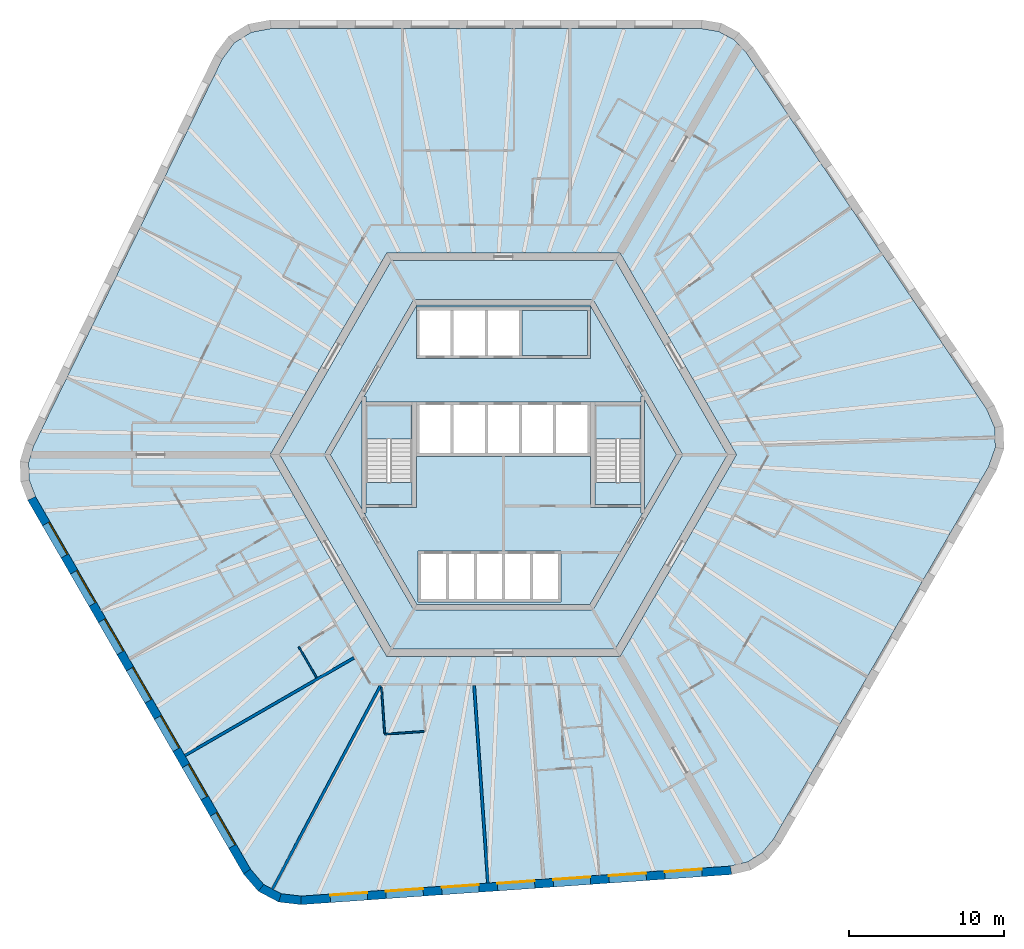
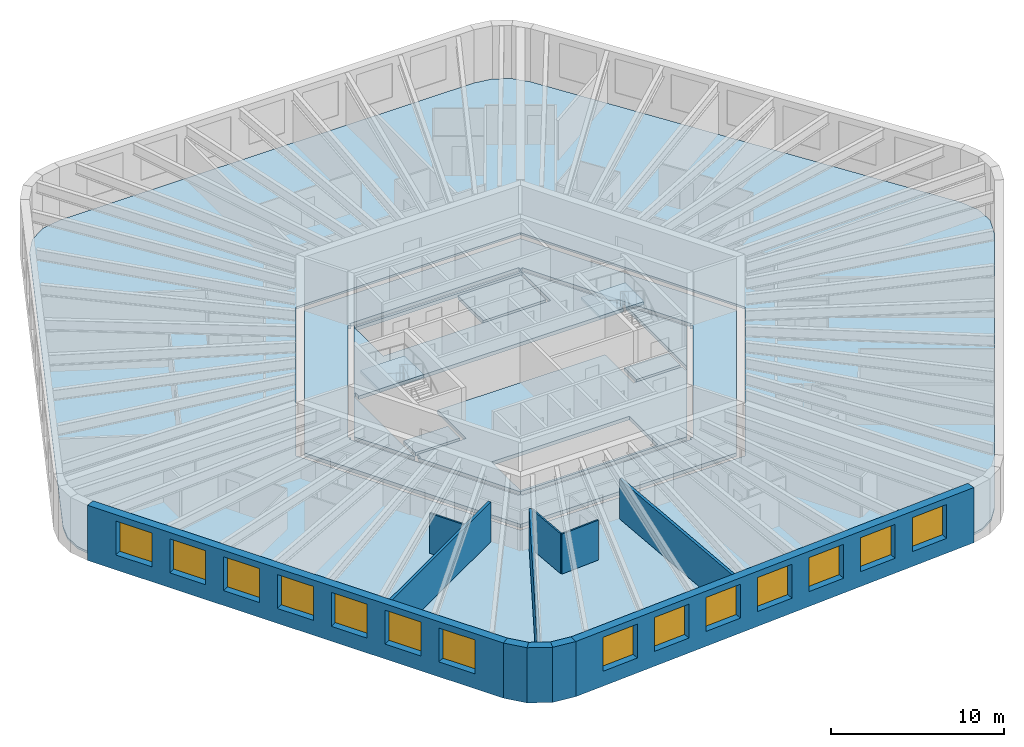
# One storey, part 2 of 10: 14 windows, 11 slabs, 11 walls, 14 openings, 2 elements without a shape of their own.
"""IFC4 building model written with IfcOpenShell, lengths in metres."""

from ifc_helpers import new_model, si_unit, direction, frame, frame_2d, origin, place, context, subcontext, project, spatial, polyline, rectangle, outline, extrude, material, layer, layer_set, type_object, element, fill, aggregate, save


model = new_model("IFC4")

# Units and contexts
model_context = context("Model", 3, precision=1e-05, world=origin(), true_north=direction((0.0, 1.0)))
body_context = subcontext(model_context, "Body", "Model", "MODEL_VIEW")
ifc_project = project(units=[si_unit("LENGTHUNIT", "METRE"), si_unit("AREAUNIT", "SQUARE_METRE"), si_unit("VOLUMEUNIT", "CUBIC_METRE"), si_unit("PLANEANGLEUNIT", "RADIAN"), si_unit("MASSUNIT", "GRAM", prefix="KILO")], contexts=[model_context])

# Site, building, storey
site_placement = place(None, origin())
site = spatial("IfcSite", under=ifc_project, at=site_placement, CompositionType="ELEMENT")
building_placement = place(site_placement, origin())
building = spatial("IfcBuilding", under=site, at=building_placement, Name="Tarnside Tower", CompositionType="ELEMENT")
storey_placement = place(building_placement, frame((0.0, 0.0, 160.5)))
storey = spatial("IfcBuildingStorey", under=building, at=storey_placement, Name="L37", CompositionType="ELEMENT", Elevation=160.5)

# Slabs
ifc_material_1 = material(Name="Concrete C35/45", Category="concrete")
ifc_layer_1 = layer(ifc_material_1, 0.14990234375)
ifc_layer_set_1 = layer_set([ifc_layer_1], Name="Composite floor slab 150")
slab_type_1 = type_object("IfcSlabType", Name="Composite floor slab 150", PredefinedType="FLOOR", material=ifc_layer_set_1)
slab_1_placement = place(storey_placement, frame((0.0, 0.0, -0.14990234375)))
element("IfcSlab", 1, at=slab_1_placement, inside=storey, type_object=slab_type_1, Name="Floor slab L37", PredefinedType="FLOOR", context=body_context, shape_type="SweptSolid", body=[
    extrude(outline(polyline([(13.864013671875, 27.264892578125), (14.85107421875, 26.740234375), (15.6337890625, 25.91064453125), (31.12890625, 2.938232421875), (31.644287109375, 1.7431640625), (31.68896484375, 0.468505859375), (31.258056640625, -0.759521484375), (17.403076171875, -24.7568359375), (16.68017578125, -25.63916015625), (15.732177734375, -26.2314453125), (14.622314453125, -26.494384765625), (-13.02001953125, -28.427490234375), (-14.3125, -28.2763671875), (-15.438720703125, -27.677490234375), (-16.286865234375, -26.6904296875), (-30.1416015625, -2.693115234375), (-30.544189453125, -1.6259765625), (-30.583251953125, -0.5087890625), (-30.256103515625, 0.583984375), (-18.10888671875, 25.4892578125), (-17.331787109375, 26.533203125), (-16.250244140625, 27.208984375), (-14.97119140625, 27.449951171875), (12.738525390625, 27.449951171875), (13.864013671875, 27.264892578125)]), holes=[polyline([(-15.010986328125, 0.0), (-7.505615234375, -13.0), (7.505615234375, -13.0), (15.010986328125, 0.0), (7.505615234375, 13.0), (-7.505615234375, 13.0), (-15.010986328125, 0.0)])]), origin(), (0.0, 0.0, 1.0), 0.14990234375),
])
ifc_material_2 = material(Name="Concrete C40/50", Category="concrete")
ifc_layer_2 = layer(ifc_material_2, 0.25)
ifc_layer_set_2 = layer_set([ifc_layer_2], Name="Core slab C40/50")
slab_type_2 = type_object("IfcSlabType", Name="Core slab C40/50", PredefinedType="FLOOR", material=ifc_layer_set_2)
slab_2_placement = place(storey_placement, frame((0.0, 0.0, -0.25)))
element("IfcSlab", 2, at=slab_2_placement, inside=storey, type_object=slab_type_2, Name="L37 core floor slab 1", PredefinedType="FLOOR", context=body_context, shape_type="SweptSolid", body=[
    extrude(outline(polyline([(-7.216796875, 12.5), (7.216796875, 12.5), (14.433837890625, 0.0), (7.216796875, -12.5), (-7.216796875, -12.5), (-14.433837890625, 0.0), (-7.216796875, 12.5)]), holes=[polyline([(5.823974609375, -9.91259765625), (11.49658203125, -0.08740234375), (11.344970703125, 0.0), (11.49658203125, 0.08740234375), (5.823974609375, 9.91259765625), (5.672607421875, 9.824951171875), (5.672607421875, 10.0), (-5.672607421875, 10.0), (-5.672607421875, 9.824951171875), (-5.823974609375, 9.91259765625), (-11.49658203125, 0.08740234375), (-11.344970703125, 0.0), (-11.49658203125, -0.08740234375), (-5.823974609375, -9.91259765625), (-5.672607421875, -9.824951171875), (-5.672607421875, -10.0), (5.672607421875, -10.0), (5.672607421875, -9.824951171875), (5.823974609375, -9.91259765625)])]), origin(), (0.0, 0.0, 1.0), 0.25),
])
slab_3_placement = place(storey_placement, frame((0.0, 0.0, -0.25)))
element("IfcSlab", 3, at=slab_3_placement, inside=storey, type_object=slab_type_2, Name="L37 core floor slab 2", PredefinedType="FLOOR", context=body_context, shape_type="SweptSolid", body=[
    extrude(outline(polyline([(-8.97509765625, 3.7548828125), (-5.5712890625, 9.64990234375), (5.5712890625, 9.64990234375), (8.97509765625, 3.7548828125), (8.85009765625, 3.7548828125), (8.85009765625, 3.39990234375), (5.89990234375, 3.39990234375), (5.60009765625, 3.39990234375), (5.60009765625, 3.39990234375), (-5.60009765625, 3.39990234375), (-5.89990234375, 3.39990234375), (-8.85009765625, 3.39990234375), (-8.85009765625, 3.7548828125), (-8.97509765625, 3.7548828125)]), holes=[polyline([(-5.60009765625, 6.199951171875), (5.60009765625, 6.199951171875), (5.60009765625, 6.39990234375), (5.60009765625, 9.300048828125), (5.60009765625, 9.5), (-5.60009765625, 9.5), (-5.60009765625, 9.300048828125), (-5.60009765625, 6.39990234375), (-5.60009765625, 6.199951171875)])]), origin(), (0.0, 0.0, 1.0), 0.25),
])
slab_4_placement = place(storey_placement, frame((0.0, 0.0, -0.25)))
element("IfcSlab", 4, at=slab_4_placement, inside=storey, type_object=slab_type_2, Name="L37 core floor slab 3", PredefinedType="FLOOR", context=body_context, shape_type="SweptSolid", body=[
    extrude(outline(polyline([(5.60009765625, -3.39990234375), (5.89990234375, -3.39990234375), (8.85009765625, -3.39990234375), (8.85009765625, -3.7548828125), (8.97509765625, -3.7548828125), (5.5712890625, -9.64990234375), (-5.5712890625, -9.64990234375), (-8.97509765625, -3.7548828125), (-8.85009765625, -3.7548828125), (-8.85009765625, -3.39990234375), (-5.89990234375, -3.39990234375), (-5.60009765625, -3.39990234375), (-5.60009765625, -0.10009765625), (5.60009765625, -0.10009765625), (5.60009765625, -3.39990234375)]), holes=[polyline([(-5.5, -9.300048828125), (-5.5, -9.5), (3.699951171875, -9.5), (3.699951171875, -9.300048828125), (3.699951171875, -6.39990234375), (3.699951171875, -6.199951171875), (-5.5, -6.199951171875), (-5.5, -6.39990234375), (-5.5, -9.300048828125)])]), origin(), (0.0, 0.0, 1.0), 0.25),
])
slab_5_placement = place(storey_placement, frame((0.0, 0.0, -0.25)))
element("IfcSlab", 5, at=slab_5_placement, inside=storey, type_object=slab_type_2, Name="L37 core floor slab 4", PredefinedType="FLOOR", context=body_context, shape_type="SweptSolid", body=[
    extrude(outline(polyline([(-11.142822265625, 0.0), (-9.10009765625, 3.538330078125), (-9.10009765625, -3.538330078125), (-11.142822265625, 0.0)])), origin(), (0.0, 0.0, 1.0), 0.25),
])
slab_6_placement = place(storey_placement, frame((0.0, 0.0, -0.25)))
element("IfcSlab", 6, at=slab_6_placement, inside=storey, type_object=slab_type_2, Name="L37 core floor slab 5", PredefinedType="FLOOR", context=body_context, shape_type="SweptSolid", body=[
    extrude(outline(polyline([(-8.85009765625, -1.800048828125), (-5.89990234375, -1.800048828125), (-5.89990234375, -3.199951171875), (-8.85009765625, -3.199951171875), (-8.85009765625, -1.800048828125)])), origin(), (0.0, 0.0, 1.0), 0.25),
])
slab_7_placement = place(storey_placement, frame((0.0, 0.0, -0.25)))
element("IfcSlab", 7, at=slab_7_placement, inside=storey, type_object=slab_type_2, Name="L37 core floor slab 6", PredefinedType="FLOOR", context=body_context, shape_type="SweptSolid", body=[
    extrude(outline(polyline([(5.89990234375, -3.199951171875), (5.89990234375, -1.800048828125), (8.85009765625, -1.800048828125), (8.85009765625, -3.199951171875), (5.89990234375, -3.199951171875)])), origin(), (0.0, 0.0, 1.0), 0.25),
])
slab_8_placement = place(storey_placement, frame((0.0, 0.0, -0.25)))
element("IfcSlab", 8, at=slab_8_placement, inside=storey, type_object=slab_type_2, Name="L37 core floor slab 7", PredefinedType="FLOOR", context=body_context, shape_type="SweptSolid", body=[
    extrude(outline(polyline([(9.10009765625, -3.538330078125), (9.10009765625, 3.538330078125), (11.142822265625, 0.0), (9.10009765625, -3.538330078125)])), origin(), (0.0, 0.0, 1.0), 0.25),
])
slab_9_placement = place(storey_placement, frame((0.0, 0.0, -0.25)))
element("IfcSlab", 9, at=slab_9_placement, inside=storey, type_object=slab_type_2, Name="L37 core floor slab 8", PredefinedType="FLOOR", context=body_context, shape_type="SweptSolid", body=[
    extrude(outline(polyline([(5.39990234375, 9.300048828125), (5.39990234375, 6.39990234375), (1.199951171875, 6.39990234375), (1.199951171875, 9.300048828125), (5.39990234375, 9.300048828125)])), origin(), (0.0, 0.0, 1.0), 0.25),
])

# Stair, slab
stair_type = type_object("IfcStairType", Name="Exit stair 1400 clear", PredefinedType="HALF_TURN_STAIR", material=ifc_material_2)
stair_1_placement = place(storey_placement, origin())
stair_1 = element("IfcStair", 10, at=stair_1_placement, inside=storey, type_object=stair_type, Name="L37 Exit stair 1", PredefinedType="HALF_TURN_STAIR")
ifc_layer_3 = layer(ifc_material_2, 0.199951171875)
ifc_layer_set_3 = layer_set([ifc_layer_3], Name="Stair landing 200 C40/50")
slab_type_3 = type_object("IfcSlabType", Name="Stair landing 200 C40/50", PredefinedType="LANDING", material=ifc_layer_set_3)
slab_10_placement = place(storey_placement, frame((0.0, 0.0, 1.75)))
slab_10 = element("IfcSlab", 11, at=slab_10_placement, type_object=slab_type_3, Name="ST1 landing 1", PredefinedType="LANDING", context=body_context, shape_type="SweptSolid", body=[
    extrude(outline(polyline([(8.85009765625, 1.0), (8.85009765625, 3.199951171875), (5.89990234375, 3.199951171875), (5.89990234375, 1.0), (8.85009765625, 1.0)])), origin(), (0.0, 0.0, 1.0), 0.199951171875),
])
aggregate(stair_1, [slab_10])

stair_2_placement = place(storey_placement, origin())
stair_2 = element("IfcStair", 12, at=stair_2_placement, inside=storey, type_object=stair_type, Name="L37 Exit stair 2", PredefinedType="HALF_TURN_STAIR")
slab_11_placement = place(storey_placement, frame((0.0, 0.0, 1.75)))
slab_11 = element("IfcSlab", 13, at=slab_11_placement, type_object=slab_type_3, Name="ST2 landing 1", PredefinedType="LANDING", context=body_context, shape_type="SweptSolid", body=[
    extrude(outline(polyline([(-5.89990234375, 1.0), (-5.89990234375, 3.199951171875), (-8.85009765625, 3.199951171875), (-8.85009765625, 1.0), (-5.89990234375, 1.0)])), origin(), (0.0, 0.0, 1.0), 0.199951171875),
])
aggregate(stair_2, [slab_11])

# Walls
ifc_material_3 = material(Name="Gypsum board partition on steel studs", Category="steel")
ifc_layer_4 = layer(ifc_material_3, 0.10009765625)
ifc_layer_set_4 = layer_set([ifc_layer_4], Name="Bathroom wall 100")
wall_type_1 = type_object("IfcWallType", Name="Bathroom wall 100", PredefinedType="PARTITIONING", material=ifc_layer_set_4)
wall_1_placement = place(storey_placement, frame((-12.028076171875, -14.36669921875, 0.0), z_axis=(0.0, 0.0, 1.0), x_axis=(-0.500015210774, 0.866016621662, 0.0)))
element("IfcWall", 14, at=wall_1_placement, inside=storey, type_object=wall_type_1, Name="Bathroom wall 11075", PredefinedType="PARTITIONING", context=body_context, shape_type="SweptSolid", body=[
    extrude(rectangle(XDim=2.31005859375, YDim=0.10009765625, at=frame_2d((1.155029296875, 0.0))), origin(), (0.0, 0.0, 1.0), 2.823486328125),
])
wall_2_placement = place(storey_placement, frame((-5.101806640625, -17.82275390625, 0.0), z_axis=(0.0, 0.0, 1.0), x_axis=(-0.997561167558, -0.069797686069, 0.0)))
element("IfcWall", 15, at=wall_2_placement, inside=storey, type_object=wall_type_1, Name="Bathroom wall 11081", PredefinedType="PARTITIONING", context=body_context, shape_type="SweptSolid", body=[
    extrude(rectangle(XDim=2.5498046875, YDim=0.10009765625, at=frame_2d((1.27490234375, 0.0))), origin(), (0.0, 0.0, 1.0), 2.823486328125),
])
wall_3_placement = place(storey_placement, frame((-7.64892578125, -17.950927734375, 0.0), z_axis=(0.0, 0.0, 1.0), x_axis=(-0.069760844897, 0.997563744589, 0.0)))
element("IfcWall", 16, at=wall_3_placement, inside=storey, type_object=wall_type_1, Name="Bathroom wall 11082", PredefinedType="PARTITIONING", context=body_context, shape_type="SweptSolid", body=[
    extrude(rectangle(XDim=2.98876953125, YDim=0.10009765625, at=frame_2d((1.494384765625, 0.0))), origin(), (0.0, 0.0, 1.0), 2.823486328125),
])
ifc_layer_5 = layer(ifc_material_3, 0.179931640625)
ifc_layer_set_5 = layer_set([ifc_layer_5], Name="Demising wall 180 EI 60")
wall_type_2 = type_object("IfcWallType", Name="Demising wall 180 EI 60", PredefinedType="PARTITIONING", material=ifc_layer_set_5)
wall_4_placement = place(storey_placement, frame((-20.513427734375, -19.36962890625, 0.0), z_axis=(0.0, 0.0, 1.0), x_axis=(0.866019402111, 0.500010395058, 0.0)))
element("IfcWall", 17, at=wall_4_placement, inside=storey, type_object=wall_type_2, Name="Demising wall 11077", PredefinedType="PARTITIONING", context=body_context, shape_type="SweptSolid", body=[
    extrude(rectangle(XDim=12.574951171875, YDim=0.179931640625, at=frame_2d((6.28759765625, 0.0))), origin(), (0.0, 0.0, 1.0), 2.823486328125),
])
wall_5_placement = place(storey_placement, frame((-14.875732421875, -27.97705078125, 0.0), z_axis=(0.0, 0.0, 1.0), x_axis=(0.469475175214, 0.882945672088, 0.0)))
element("IfcWall", 18, at=wall_5_placement, inside=storey, type_object=wall_type_2, Name="Demising wall 11079", PredefinedType="PARTITIONING", context=body_context, shape_type="SweptSolid", body=[
    extrude(rectangle(XDim=14.839111328125, YDim=0.179931640625, at=frame_2d((7.41943359375, 0.0))), origin(), (0.0, 0.0, 1.0), 2.823486328125),
])
wall_6_placement = place(storey_placement, frame((-0.99609375, -27.586669921875, 0.0), z_axis=(0.0, 0.0, 1.0), x_axis=(-0.069758774678, 0.99756388936, 0.0)))
element("IfcWall", 19, at=wall_6_placement, inside=storey, type_object=wall_type_2, Name="Demising wall 11083", PredefinedType="PARTITIONING", context=body_context, shape_type="SweptSolid", body=[
    extrude(rectangle(XDim=12.74267578125, YDim=0.179931640625, at=frame_2d((6.371337890625, 0.0))), origin(), (0.0, 0.0, 1.0), 2.823486328125),
])

# Wall, openings, windows
ifc_material_4 = material(Name="Facing brick", Category="masonry")
ifc_layer_6 = layer(ifc_material_4, 0.10205078125)
ifc_material_5 = material(Name="Concrete C60/75 precast", Category="concrete")
ifc_layer_7 = layer(ifc_material_5, 0.347900390625)
ifc_material_6 = material(Name="Mineral wool insulation")
ifc_layer_8 = layer(ifc_material_6, 0.10009765625)
ifc_layer_set_6 = layer_set([ifc_layer_6, ifc_layer_7, ifc_layer_8], Name="Tube wall 550 brick faced")
wall_type_3 = type_object("IfcWallType", Name="Tube wall 550 brick faced", PredefinedType="SOLIDWALL", material=ifc_layer_set_6)
wall_7_placement = place(storey_placement, frame((-30.39111328125, -2.81103515625, -0.14990234375), z_axis=(0.0, 0.0, 1.0), x_axis=(0.499998569178, -0.866026229868, 0.0)))
wall_7 = element("IfcWall", 20, at=wall_7_placement, inside=storey, type_object=wall_type_3, Name="Tube wall L37 F3 flush 08", PredefinedType="SOLIDWALL", context=body_context, shape_type="SweptSolid", body=[
    extrude(outline(polyline([(-0.0224609375, -0.27490234375), (27.783447265625, -0.27490234375), (27.732177734375, 0.27490234375), (0.0224609375, 0.27490234375), (-0.0224609375, -0.27490234375)])), origin(), (0.0, 0.0, 1.0), 3.89990234375),
])
opening_1_placement = place(wall_7_placement, frame((1.87890625, 0.0, 1.050048828125)))
opening_1 = element("IfcOpeningElement", 21, at=opening_1_placement, cuts=wall_7, Name="Opening WH", PredefinedType="OPENING", context=body_context, shape_type="SweptSolid", body=[
    extrude(rectangle(XDim=2.39990234375, YDim=2.39990234375, at=frame_2d((1.199951171875, 1.199951171875))), frame((0.0, 0.28515625, 0.0), z_axis=(0.0, -1.0, 0.0), x_axis=(1.0, 0.0, 0.0)), (0.0, 0.0, 1.0), 0.570068359375),
])
opening_2_placement = place(wall_7_placement, frame((5.47900390625, 0.0, 1.050048828125)))
opening_2 = element("IfcOpeningElement", 22, at=opening_2_placement, cuts=wall_7, Name="Opening WH", PredefinedType="OPENING", context=body_context, shape_type="SweptSolid", body=[
    extrude(rectangle(XDim=2.39990234375, YDim=2.39990234375, at=frame_2d((1.199951171875, 1.199951171875))), frame((0.0, 0.28515625, 0.0), z_axis=(0.0, -1.0, 0.0), x_axis=(1.0, 0.0, 0.0)), (0.0, 0.0, 1.0), 0.570068359375),
])
opening_3_placement = place(wall_7_placement, frame((9.078857421875, 0.0, 1.050048828125)))
opening_3 = element("IfcOpeningElement", 23, at=opening_3_placement, cuts=wall_7, Name="Opening WH", PredefinedType="OPENING", context=body_context, shape_type="SweptSolid", body=[
    extrude(rectangle(XDim=2.39990234375, YDim=2.39990234375, at=frame_2d((1.199951171875, 1.199951171875))), frame((0.0, 0.28515625, 0.0), z_axis=(0.0, -1.0, 0.0), x_axis=(1.0, 0.0, 0.0)), (0.0, 0.0, 1.0), 0.570068359375),
])
opening_4_placement = place(wall_7_placement, frame((12.678955078125, 0.0, 1.050048828125)))
opening_4 = element("IfcOpeningElement", 24, at=opening_4_placement, cuts=wall_7, Name="Opening WH", PredefinedType="OPENING", context=body_context, shape_type="SweptSolid", body=[
    extrude(rectangle(XDim=2.39990234375, YDim=2.39990234375, at=frame_2d((1.199951171875, 1.199951171875))), frame((0.0, 0.28515625, 0.0), z_axis=(0.0, -1.0, 0.0), x_axis=(1.0, 0.0, 0.0)), (0.0, 0.0, 1.0), 0.570068359375),
])
opening_5_placement = place(wall_7_placement, frame((16.27880859375, 0.0, 1.050048828125)))
opening_5 = element("IfcOpeningElement", 25, at=opening_5_placement, cuts=wall_7, Name="Opening WH", PredefinedType="OPENING", context=body_context, shape_type="SweptSolid", body=[
    extrude(rectangle(XDim=2.39990234375, YDim=2.39990234375, at=frame_2d((1.199951171875, 1.199951171875))), frame((0.0, 0.28515625, 0.0), z_axis=(0.0, -1.0, 0.0), x_axis=(1.0, 0.0, 0.0)), (0.0, 0.0, 1.0), 0.570068359375),
])
opening_6_placement = place(wall_7_placement, frame((19.87890625, 0.0, 1.050048828125)))
opening_6 = element("IfcOpeningElement", 26, at=opening_6_placement, cuts=wall_7, Name="Opening WH", PredefinedType="OPENING", context=body_context, shape_type="SweptSolid", body=[
    extrude(rectangle(XDim=2.39990234375, YDim=2.39990234375, at=frame_2d((1.199951171875, 1.199951171875))), frame((0.0, 0.28515625, 0.0), z_axis=(0.0, -1.0, 0.0), x_axis=(1.0, 0.0, 0.0)), (0.0, 0.0, 1.0), 0.570068359375),
])
opening_7_placement = place(wall_7_placement, frame((23.47900390625, 0.0, 1.050048828125)))
opening_7 = element("IfcOpeningElement", 27, at=opening_7_placement, cuts=wall_7, Name="Opening WH", PredefinedType="OPENING", context=body_context, shape_type="SweptSolid", body=[
    extrude(rectangle(XDim=2.39990234375, YDim=2.39990234375, at=frame_2d((1.199951171875, 1.199951171875))), frame((0.0, 0.28515625, 0.0), z_axis=(0.0, -1.0, 0.0), x_axis=(1.0, 0.0, 0.0)), (0.0, 0.0, 1.0), 0.570068359375),
])
ifc_material_7 = material(Name="Aluminium-framed double glazing", Category="aluminium")
window_type = type_object("IfcWindowType", Name="Hotel window 2400 x 2400", PartitioningType="DOUBLE_PANEL_VERTICAL", PredefinedType="WINDOW", material=ifc_material_7)
window_1_placement = place(opening_1_placement, frame((0.0, 0.205078125, 0.0)))
window_1 = element("IfcWindow", 28, at=window_1_placement, inside=storey, type_object=window_type, Name="E.WN.L37.F3.00", OverallHeight=2.39990234375, OverallWidth=2.39990234375, PartitioningType="DOUBLE_PANEL_VERTICAL", PredefinedType="WINDOW", context=body_context, shape_type="SweptSolid", body=[
    extrude(rectangle(XDim=2.39990234375, YDim=2.39990234375, at=frame_2d((1.199951171875, 1.199951171875))), frame((0.0, 0.030029296875, 0.0), z_axis=(0.0, -1.0, 0.0), x_axis=(1.0, 0.0, 0.0)), (0.0, 0.0, 1.0), 0.06005859375),
])
fill(opening_1, window_1)
window_2_placement = place(opening_2_placement, frame((0.0, 0.205078125, 0.0)))
window_2 = element("IfcWindow", 29, at=window_2_placement, inside=storey, type_object=window_type, Name="E.WN.L37.F3.01", OverallHeight=2.39990234375, OverallWidth=2.39990234375, PartitioningType="DOUBLE_PANEL_VERTICAL", PredefinedType="WINDOW", context=body_context, shape_type="SweptSolid", body=[
    extrude(rectangle(XDim=2.39990234375, YDim=2.39990234375, at=frame_2d((1.199951171875, 1.199951171875))), frame((0.0, 0.030029296875, 0.0), z_axis=(0.0, -1.0, 0.0), x_axis=(1.0, 0.0, 0.0)), (0.0, 0.0, 1.0), 0.06005859375),
])
fill(opening_2, window_2)
window_3_placement = place(opening_3_placement, frame((0.0, 0.205078125, 0.0)))
window_3 = element("IfcWindow", 30, at=window_3_placement, inside=storey, type_object=window_type, Name="E.WN.L37.F3.02", OverallHeight=2.39990234375, OverallWidth=2.39990234375, PartitioningType="DOUBLE_PANEL_VERTICAL", PredefinedType="WINDOW", context=body_context, shape_type="SweptSolid", body=[
    extrude(rectangle(XDim=2.39990234375, YDim=2.39990234375, at=frame_2d((1.199951171875, 1.199951171875))), frame((0.0, 0.030029296875, 0.0), z_axis=(0.0, -1.0, 0.0), x_axis=(1.0, 0.0, 0.0)), (0.0, 0.0, 1.0), 0.06005859375),
])
fill(opening_3, window_3)
window_4_placement = place(opening_4_placement, frame((0.0, 0.205078125, 0.0)))
window_4 = element("IfcWindow", 31, at=window_4_placement, inside=storey, type_object=window_type, Name="E.WN.L37.F3.03", OverallHeight=2.39990234375, OverallWidth=2.39990234375, PartitioningType="DOUBLE_PANEL_VERTICAL", PredefinedType="WINDOW", context=body_context, shape_type="SweptSolid", body=[
    extrude(rectangle(XDim=2.39990234375, YDim=2.39990234375, at=frame_2d((1.199951171875, 1.199951171875))), frame((0.0, 0.030029296875, 0.0), z_axis=(0.0, -1.0, 0.0), x_axis=(1.0, 0.0, 0.0)), (0.0, 0.0, 1.0), 0.06005859375),
])
fill(opening_4, window_4)
window_5_placement = place(opening_5_placement, frame((0.0, 0.205078125, 0.0)))
window_5 = element("IfcWindow", 32, at=window_5_placement, inside=storey, type_object=window_type, Name="E.WN.L37.F3.04", OverallHeight=2.39990234375, OverallWidth=2.39990234375, PartitioningType="DOUBLE_PANEL_VERTICAL", PredefinedType="WINDOW", context=body_context, shape_type="SweptSolid", body=[
    extrude(rectangle(XDim=2.39990234375, YDim=2.39990234375, at=frame_2d((1.199951171875, 1.199951171875))), frame((0.0, 0.030029296875, 0.0), z_axis=(0.0, -1.0, 0.0), x_axis=(1.0, 0.0, 0.0)), (0.0, 0.0, 1.0), 0.06005859375),
])
fill(opening_5, window_5)
window_6_placement = place(opening_6_placement, frame((0.0, 0.205078125, 0.0)))
window_6 = element("IfcWindow", 33, at=window_6_placement, inside=storey, type_object=window_type, Name="E.WN.L37.F3.05", OverallHeight=2.39990234375, OverallWidth=2.39990234375, PartitioningType="DOUBLE_PANEL_VERTICAL", PredefinedType="WINDOW", context=body_context, shape_type="SweptSolid", body=[
    extrude(rectangle(XDim=2.39990234375, YDim=2.39990234375, at=frame_2d((1.199951171875, 1.199951171875))), frame((0.0, 0.030029296875, 0.0), z_axis=(0.0, -1.0, 0.0), x_axis=(1.0, 0.0, 0.0)), (0.0, 0.0, 1.0), 0.06005859375),
])
fill(opening_6, window_6)
window_7_placement = place(opening_7_placement, frame((0.0, 0.205078125, 0.0)))
window_7 = element("IfcWindow", 34, at=window_7_placement, inside=storey, type_object=window_type, Name="E.WN.L37.F3.06", OverallHeight=2.39990234375, OverallWidth=2.39990234375, PartitioningType="DOUBLE_PANEL_VERTICAL", PredefinedType="WINDOW", context=body_context, shape_type="SweptSolid", body=[
    extrude(rectangle(XDim=2.39990234375, YDim=2.39990234375, at=frame_2d((1.199951171875, 1.199951171875))), frame((0.0, 0.030029296875, 0.0), z_axis=(0.0, -1.0, 0.0), x_axis=(1.0, 0.0, 0.0)), (0.0, 0.0, 1.0), 0.06005859375),
])
fill(opening_7, window_7)

# Walls
wall_8_placement = place(storey_placement, frame((-16.51220703125, -26.85009765625, -0.14990234375), z_axis=(0.0, 0.0, 1.0), x_axis=(0.651621950847, -0.758543890078, 0.0)))
element("IfcWall", 35, at=wall_8_placement, inside=storey, type_object=wall_type_3, Name="Tube wall L37 F3 chord 09", PredefinedType="SOLIDWALL", context=body_context, shape_type="SweptSolid", body=[
    extrude(outline(polyline([(-0.025634765625, -0.27490234375), (1.430908203125, -0.27490234375), (1.327392578125, 0.27490234375), (0.025634765625, 0.27490234375), (-0.025634765625, -0.27490234375)])), origin(), (0.0, 0.0, 1.0), 3.89990234375),
])
wall_9_placement = place(storey_placement, frame((-15.613525390625, -27.896240234375, -0.14990234375), z_axis=(0.0, 0.0, 1.0), x_axis=(0.882994189209, -0.469383917304, 0.0)))
element("IfcWall", 36, at=wall_9_placement, inside=storey, type_object=wall_type_3, Name="Tube wall L37 F3 chord 10", PredefinedType="SOLIDWALL", context=body_context, shape_type="SweptSolid", body=[
    extrude(outline(polyline([(-0.0517578125, -0.27490234375), (1.4306640625, -0.27490234375), (1.3271484375, 0.27490234375), (0.0517578125, 0.27490234375), (-0.0517578125, -0.27490234375)])), origin(), (0.0, 0.0, 1.0), 3.89990234375),
])
wall_10_placement = place(storey_placement, frame((-14.39599609375, -28.54345703125, -0.14990234375), z_axis=(0.0, 0.0, 1.0), x_axis=(0.993232537394, -0.11614269956, 0.0)))
element("IfcWall", 37, at=wall_10_placement, inside=storey, type_object=wall_type_3, Name="Tube wall L37 F3 chord 11", PredefinedType="SOLIDWALL", context=body_context, shape_type="SweptSolid", body=[
    extrude(outline(polyline([(-0.0517578125, -0.27490234375), (1.404541015625, -0.27490234375), (1.353271484375, 0.27490234375), (0.0517578125, 0.27490234375), (-0.0517578125, -0.27490234375)])), origin(), (0.0, 0.0, 1.0), 3.89990234375),
])

# Wall, openings, windows
wall_11_placement = place(storey_placement, frame((-13.0263671875, -28.70361328125, -0.14990234375), z_axis=(0.0, 0.0, 1.0), x_axis=(0.99756406806, 0.069756219185, 0.0)))
wall_11 = element("IfcWall", 38, at=wall_11_placement, inside=storey, type_object=wall_type_3, Name="Tube wall L37 F4 flush 12", PredefinedType="SOLIDWALL", context=body_context, shape_type="SweptSolid", body=[
    extrude(outline(polyline([(-0.025634765625, -0.27490234375), (27.7802734375, -0.27490234375), (27.7353515625, 0.27490234375), (0.025634765625, 0.27490234375), (-0.025634765625, -0.27490234375)])), origin(), (0.0, 0.0, 1.0), 3.89990234375),
])
opening_8_placement = place(wall_11_placement, frame((1.87890625, 0.0, 1.050048828125)))
opening_8 = element("IfcOpeningElement", 39, at=opening_8_placement, cuts=wall_11, Name="Opening WH", PredefinedType="OPENING", context=body_context, shape_type="SweptSolid", body=[
    extrude(rectangle(XDim=2.39990234375, YDim=2.39990234375, at=frame_2d((1.199951171875, 1.199951171875))), frame((0.0, 0.28515625, 0.0), z_axis=(0.0, -1.0, 0.0), x_axis=(1.0, 0.0, 0.0)), (0.0, 0.0, 1.0), 0.570068359375),
])
opening_9_placement = place(wall_11_placement, frame((5.47900390625, 0.0, 1.050048828125)))
opening_9 = element("IfcOpeningElement", 40, at=opening_9_placement, cuts=wall_11, Name="Opening WH", PredefinedType="OPENING", context=body_context, shape_type="SweptSolid", body=[
    extrude(rectangle(XDim=2.39990234375, YDim=2.39990234375, at=frame_2d((1.199951171875, 1.199951171875))), frame((0.0, 0.28515625, 0.0), z_axis=(0.0, -1.0, 0.0), x_axis=(1.0, 0.0, 0.0)), (0.0, 0.0, 1.0), 0.570068359375),
])
opening_10_placement = place(wall_11_placement, frame((9.078857421875, 0.0, 1.050048828125)))
opening_10 = element("IfcOpeningElement", 41, at=opening_10_placement, cuts=wall_11, Name="Opening WH", PredefinedType="OPENING", context=body_context, shape_type="SweptSolid", body=[
    extrude(rectangle(XDim=2.39990234375, YDim=2.39990234375, at=frame_2d((1.199951171875, 1.199951171875))), frame((0.0, 0.28515625, 0.0), z_axis=(0.0, -1.0, 0.0), x_axis=(1.0, 0.0, 0.0)), (0.0, 0.0, 1.0), 0.570068359375),
])
opening_11_placement = place(wall_11_placement, frame((12.678955078125, 0.0, 1.050048828125)))
opening_11 = element("IfcOpeningElement", 42, at=opening_11_placement, cuts=wall_11, Name="Opening WH", PredefinedType="OPENING", context=body_context, shape_type="SweptSolid", body=[
    extrude(rectangle(XDim=2.39990234375, YDim=2.39990234375, at=frame_2d((1.199951171875, 1.199951171875))), frame((0.0, 0.28515625, 0.0), z_axis=(0.0, -1.0, 0.0), x_axis=(1.0, 0.0, 0.0)), (0.0, 0.0, 1.0), 0.570068359375),
])
opening_12_placement = place(wall_11_placement, frame((16.27880859375, 0.0, 1.050048828125)))
opening_12 = element("IfcOpeningElement", 43, at=opening_12_placement, cuts=wall_11, Name="Opening WH", PredefinedType="OPENING", context=body_context, shape_type="SweptSolid", body=[
    extrude(rectangle(XDim=2.39990234375, YDim=2.39990234375, at=frame_2d((1.199951171875, 1.199951171875))), frame((0.0, 0.28515625, 0.0), z_axis=(0.0, -1.0, 0.0), x_axis=(1.0, 0.0, 0.0)), (0.0, 0.0, 1.0), 0.570068359375),
])
opening_13_placement = place(wall_11_placement, frame((19.87890625, 0.0, 1.050048828125)))
opening_13 = element("IfcOpeningElement", 44, at=opening_13_placement, cuts=wall_11, Name="Opening WH", PredefinedType="OPENING", context=body_context, shape_type="SweptSolid", body=[
    extrude(rectangle(XDim=2.39990234375, YDim=2.39990234375, at=frame_2d((1.199951171875, 1.199951171875))), frame((0.0, 0.28515625, 0.0), z_axis=(0.0, -1.0, 0.0), x_axis=(1.0, 0.0, 0.0)), (0.0, 0.0, 1.0), 0.570068359375),
])
opening_14_placement = place(wall_11_placement, frame((23.47900390625, 0.0, 1.050048828125)))
opening_14 = element("IfcOpeningElement", 45, at=opening_14_placement, cuts=wall_11, Name="Opening WH", PredefinedType="OPENING", context=body_context, shape_type="SweptSolid", body=[
    extrude(rectangle(XDim=2.39990234375, YDim=2.39990234375, at=frame_2d((1.199951171875, 1.199951171875))), frame((0.0, 0.28515625, 0.0), z_axis=(0.0, -1.0, 0.0), x_axis=(1.0, 0.0, 0.0)), (0.0, 0.0, 1.0), 0.570068359375),
])
window_8_placement = place(opening_8_placement, frame((0.0, 0.205078125, 0.0)))
window_8 = element("IfcWindow", 46, at=window_8_placement, inside=storey, type_object=window_type, Name="E.WN.L37.F4.00", OverallHeight=2.39990234375, OverallWidth=2.39990234375, PartitioningType="DOUBLE_PANEL_VERTICAL", PredefinedType="WINDOW", context=body_context, shape_type="SweptSolid", body=[
    extrude(rectangle(XDim=2.39990234375, YDim=2.39990234375, at=frame_2d((1.199951171875, 1.199951171875))), frame((0.0, 0.030029296875, 0.0), z_axis=(0.0, -1.0, 0.0), x_axis=(1.0, 0.0, 0.0)), (0.0, 0.0, 1.0), 0.06005859375),
])
fill(opening_8, window_8)
window_9_placement = place(opening_9_placement, frame((0.0, 0.205078125, 0.0)))
window_9 = element("IfcWindow", 47, at=window_9_placement, inside=storey, type_object=window_type, Name="E.WN.L37.F4.01", OverallHeight=2.39990234375, OverallWidth=2.39990234375, PartitioningType="DOUBLE_PANEL_VERTICAL", PredefinedType="WINDOW", context=body_context, shape_type="SweptSolid", body=[
    extrude(rectangle(XDim=2.39990234375, YDim=2.39990234375, at=frame_2d((1.199951171875, 1.199951171875))), frame((0.0, 0.030029296875, 0.0), z_axis=(0.0, -1.0, 0.0), x_axis=(1.0, 0.0, 0.0)), (0.0, 0.0, 1.0), 0.06005859375),
])
fill(opening_9, window_9)
window_10_placement = place(opening_10_placement, frame((0.0, 0.205078125, 0.0)))
window_10 = element("IfcWindow", 48, at=window_10_placement, inside=storey, type_object=window_type, Name="E.WN.L37.F4.02", OverallHeight=2.39990234375, OverallWidth=2.39990234375, PartitioningType="DOUBLE_PANEL_VERTICAL", PredefinedType="WINDOW", context=body_context, shape_type="SweptSolid", body=[
    extrude(rectangle(XDim=2.39990234375, YDim=2.39990234375, at=frame_2d((1.199951171875, 1.199951171875))), frame((0.0, 0.030029296875, 0.0), z_axis=(0.0, -1.0, 0.0), x_axis=(1.0, 0.0, 0.0)), (0.0, 0.0, 1.0), 0.06005859375),
])
fill(opening_10, window_10)
window_11_placement = place(opening_11_placement, frame((0.0, 0.205078125, 0.0)))
window_11 = element("IfcWindow", 49, at=window_11_placement, inside=storey, type_object=window_type, Name="E.WN.L37.F4.03", OverallHeight=2.39990234375, OverallWidth=2.39990234375, PartitioningType="DOUBLE_PANEL_VERTICAL", PredefinedType="WINDOW", context=body_context, shape_type="SweptSolid", body=[
    extrude(rectangle(XDim=2.39990234375, YDim=2.39990234375, at=frame_2d((1.199951171875, 1.199951171875))), frame((0.0, 0.030029296875, 0.0), z_axis=(0.0, -1.0, 0.0), x_axis=(1.0, 0.0, 0.0)), (0.0, 0.0, 1.0), 0.06005859375),
])
fill(opening_11, window_11)
window_12_placement = place(opening_12_placement, frame((0.0, 0.205078125, 0.0)))
window_12 = element("IfcWindow", 50, at=window_12_placement, inside=storey, type_object=window_type, Name="E.WN.L37.F4.04", OverallHeight=2.39990234375, OverallWidth=2.39990234375, PartitioningType="DOUBLE_PANEL_VERTICAL", PredefinedType="WINDOW", context=body_context, shape_type="SweptSolid", body=[
    extrude(rectangle(XDim=2.39990234375, YDim=2.39990234375, at=frame_2d((1.199951171875, 1.199951171875))), frame((0.0, 0.030029296875, 0.0), z_axis=(0.0, -1.0, 0.0), x_axis=(1.0, 0.0, 0.0)), (0.0, 0.0, 1.0), 0.06005859375),
])
fill(opening_12, window_12)
window_13_placement = place(opening_13_placement, frame((0.0, 0.205078125, 0.0)))
window_13 = element("IfcWindow", 51, at=window_13_placement, inside=storey, type_object=window_type, Name="E.WN.L37.F4.05", OverallHeight=2.39990234375, OverallWidth=2.39990234375, PartitioningType="DOUBLE_PANEL_VERTICAL", PredefinedType="WINDOW", context=body_context, shape_type="SweptSolid", body=[
    extrude(rectangle(XDim=2.39990234375, YDim=2.39990234375, at=frame_2d((1.199951171875, 1.199951171875))), frame((0.0, 0.030029296875, 0.0), z_axis=(0.0, -1.0, 0.0), x_axis=(1.0, 0.0, 0.0)), (0.0, 0.0, 1.0), 0.06005859375),
])
fill(opening_13, window_13)
window_14_placement = place(opening_14_placement, frame((0.0, 0.205078125, 0.0)))
window_14 = element("IfcWindow", 52, at=window_14_placement, inside=storey, type_object=window_type, Name="E.WN.L37.F4.06", OverallHeight=2.39990234375, OverallWidth=2.39990234375, PartitioningType="DOUBLE_PANEL_VERTICAL", PredefinedType="WINDOW", context=body_context, shape_type="SweptSolid", body=[
    extrude(rectangle(XDim=2.39990234375, YDim=2.39990234375, at=frame_2d((1.199951171875, 1.199951171875))), frame((0.0, 0.030029296875, 0.0), z_axis=(0.0, -1.0, 0.0), x_axis=(1.0, 0.0, 0.0)), (0.0, 0.0, 1.0), 0.06005859375),
])
fill(opening_14, window_14)

save(model, "model.ifc")
